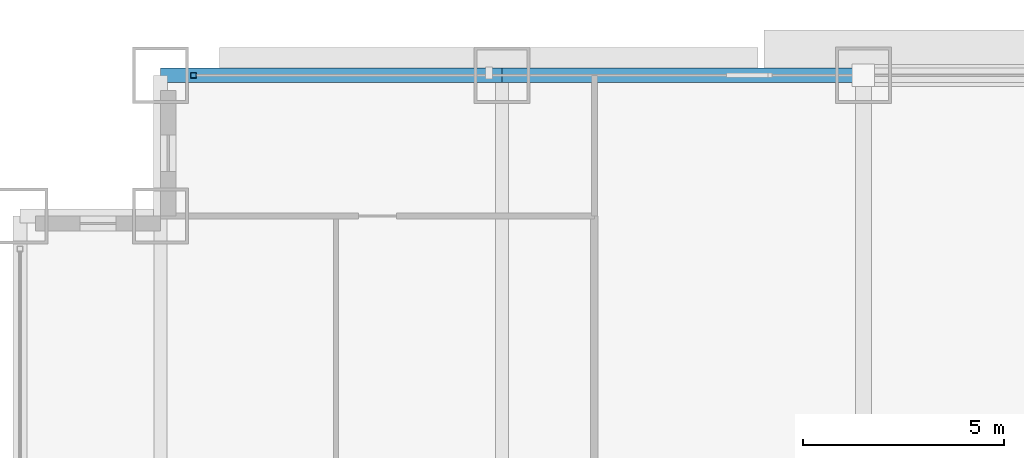
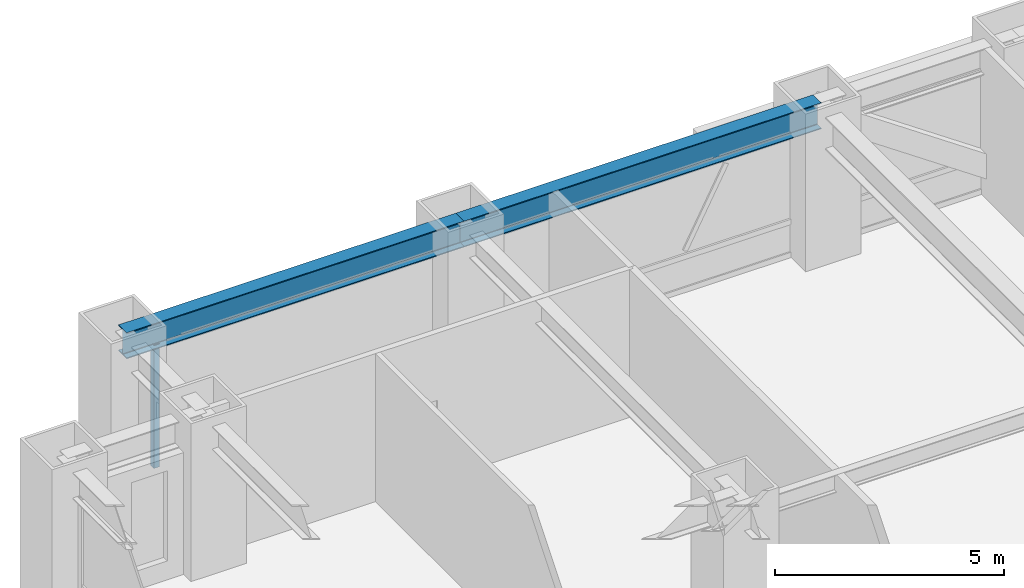
# One storey, part 17 of 32: 2 beams, 1 member, 1 element without a shape of its own.
"""IFC4 building model written with IfcOpenShell, lengths in metres."""

from ifc_helpers import new_model, si_unit, direction, frame, origin, origin_2d, place, context, subcontext, project, spatial, hollow_rectangle, i_section, extrude, source, transform, mapped, material, material_profile, profile_set, type_object, element, aggregate, save


model = new_model("IFC4")

# Units and contexts
model_context = context("Model", 3, precision=1e-05, world=origin(), true_north=direction((0.0, 1.0)))
body_context = subcontext(model_context, "Body", "Model", "MODEL_VIEW")
ifc_project = project(units=[si_unit("LENGTHUNIT", "METRE"), si_unit("AREAUNIT", "SQUARE_METRE"), si_unit("VOLUMEUNIT", "CUBIC_METRE"), si_unit("PLANEANGLEUNIT", "RADIAN"), si_unit("MASSUNIT", "GRAM", prefix="KILO")], contexts=[model_context])

# Site, building, storey
site_placement = place(None, origin())
site = spatial("IfcSite", under=ifc_project, at=site_placement, CompositionType="ELEMENT")
building_placement = place(site_placement, origin())
building = spatial("IfcBuilding", under=site, at=building_placement, Name="Khorayat Bourse Tower", CompositionType="ELEMENT")
storey_placement = place(building_placement, frame((0.0, 0.0, 78.800048828125)))
storey = spatial("IfcBuildingStorey", under=building, at=storey_placement, Name="L17", CompositionType="ELEMENT", Elevation=78.800048828125)

# Beams
ifc_material_1 = material(Name="Steel ASTM A992 Grade 50", Category="steel")
ifc_material_profile_1 = material_profile(ifc_material_1, i_section(OverallWidth=0.35498046875, OverallDepth=0.695068359375, WebThickness=0.015380859375, FlangeThickness=0.02490234375, FilletRadius=0.01806640625, at=origin_2d()), Name="W690X217")
ifc_profile_set_1 = profile_set([ifc_material_profile_1], Name="Steel ASTM A992 Grade 50")
beam_type = type_object("IfcBeamType", Name="BM-SPAN-690", PredefinedType="SPANDREL", material=ifc_profile_set_1)
shared_shape_1 = source(origin(), body_context, "Body", "SweptSolid", [
    extrude(i_section(OverallWidth=0.35498046875, OverallDepth=0.695068359375, WebThickness=0.015380859375, FlangeThickness=0.02490234375, FilletRadius=0.01806640625, at=origin_2d()), origin(), (0.0, 0.0, 1.0), 8.5),
])
beam_1_placement = place(storey_placement, frame((-28.5, 32.0, 3.592529296875), z_axis=(1.0, 0.0, 0.0), x_axis=(0.0, 1.0, 0.0)))
element("IfcBeam", 1, at=beam_1_placement, inside=storey, type_object=beam_type, Name="L17 BM-SPAN-690 BM-L17-SPN-051", PredefinedType="SPANDREL", context=body_context, shape_type="MappedRepresentation", body=[
    mapped(shared_shape_1, transform((0.0, 0.0, 0.0), scale=1.0)),
])
shared_shape_2 = source(origin(), body_context, "Body", "SweptSolid", [
    extrude(i_section(OverallWidth=0.35498046875, OverallDepth=0.695068359375, WebThickness=0.015380859375, FlangeThickness=0.02490234375, FilletRadius=0.01806640625, at=origin_2d()), origin(), (0.0, 0.0, 1.0), 9.0),
])
beam_2_placement = place(storey_placement, frame((-20.0, 32.0, 3.592529296875), z_axis=(1.0, 0.0, 0.0), x_axis=(0.0, 1.0, 0.0)))
element("IfcBeam", 2, at=beam_2_placement, inside=storey, type_object=beam_type, Name="L17 BM-SPAN-690 BM-L17-SPN-050", PredefinedType="SPANDREL", context=body_context, shape_type="MappedRepresentation", body=[
    mapped(shared_shape_2, transform((0.0, 0.0, 0.0), scale=1.0)),
])

# Curtain wall, member
ifc_material_2 = material(Name="Aluminium EN AW-6063 T6", Category="aluminium")
curtain_wall_type = type_object("IfcCurtainWallType", Name="CW-SYS-02", PredefinedType="NOTDEFINED", material=ifc_material_2)
curtain_wall_placement = place(storey_placement, origin())
curtain_wall = element("IfcCurtainWall", 3, at=curtain_wall_placement, inside=storey, type_object=curtain_wall_type, Name="L17 Curtain Wall CW-L17-N1", PredefinedType="NOTDEFINED")
ifc_material_profile_2 = material_profile(ifc_material_2, hollow_rectangle(XDim=0.139892578125, YDim=0.139892578125, WallThickness=0.006103515625, at=origin_2d()), Name="ALU 140x140x6")
ifc_profile_set_2 = profile_set([ifc_material_profile_2], Name="Aluminium EN AW-6063 T6")
member_type = type_object("IfcMemberType", Name="CWM-VERT-140", PredefinedType="MULLION", material=ifc_profile_set_2)
shared_shape_3 = source(origin(), body_context, "Body", "SweptSolid", [
    extrude(hollow_rectangle(XDim=0.139892578125, YDim=0.139892578125, WallThickness=0.006103515625, at=origin_2d()), origin(), (0.0, 0.0, 1.0), 3.2900390625),
])
member_placement = place(storey_placement, frame((-27.679931640625, 32.0, 0.0), z_axis=(0.0, 0.0, 1.0), x_axis=(0.0, 1.0, 0.0)))
member = element("IfcMember", 4, at=member_placement, type_object=member_type, Name="CW-L17-N1 Vertical Mullion 1", PredefinedType="MULLION", context=body_context, shape_type="MappedRepresentation", body=[
    mapped(shared_shape_3, transform((0.0, 0.0, 0.0), scale=1.0)),
])
aggregate(curtain_wall, [member])

save(model, "model.ifc")
